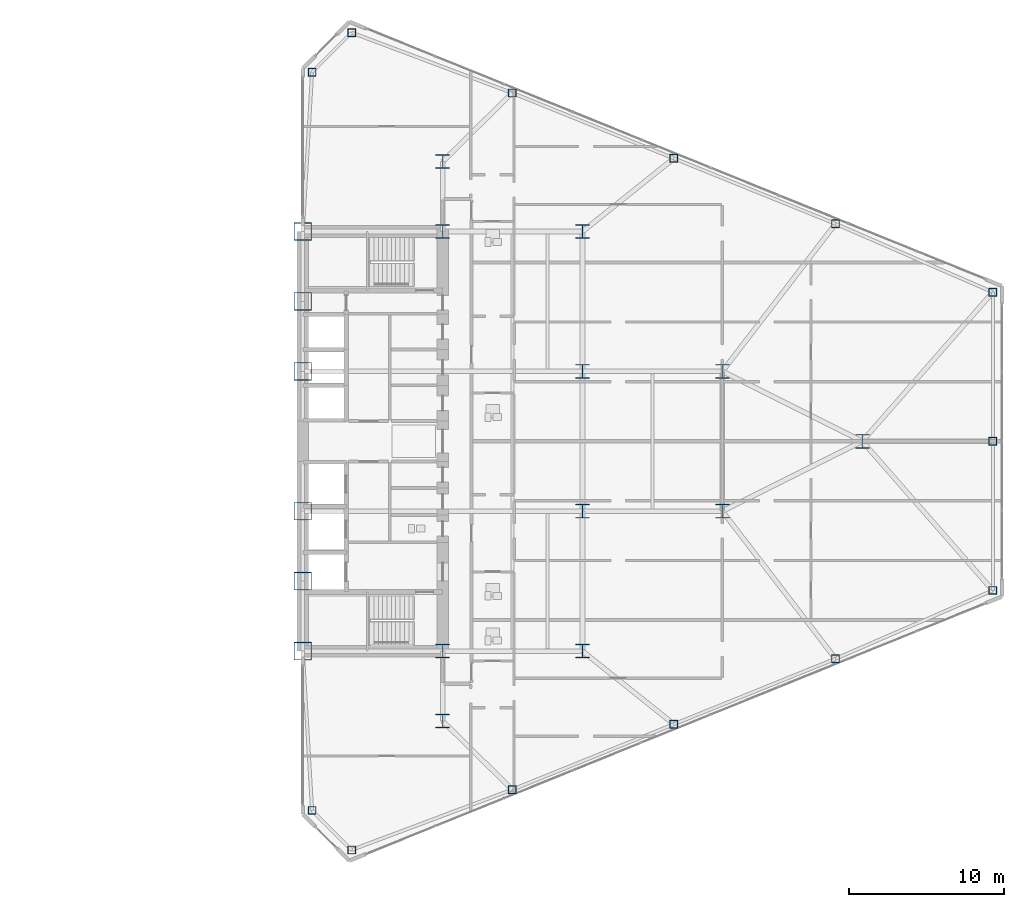
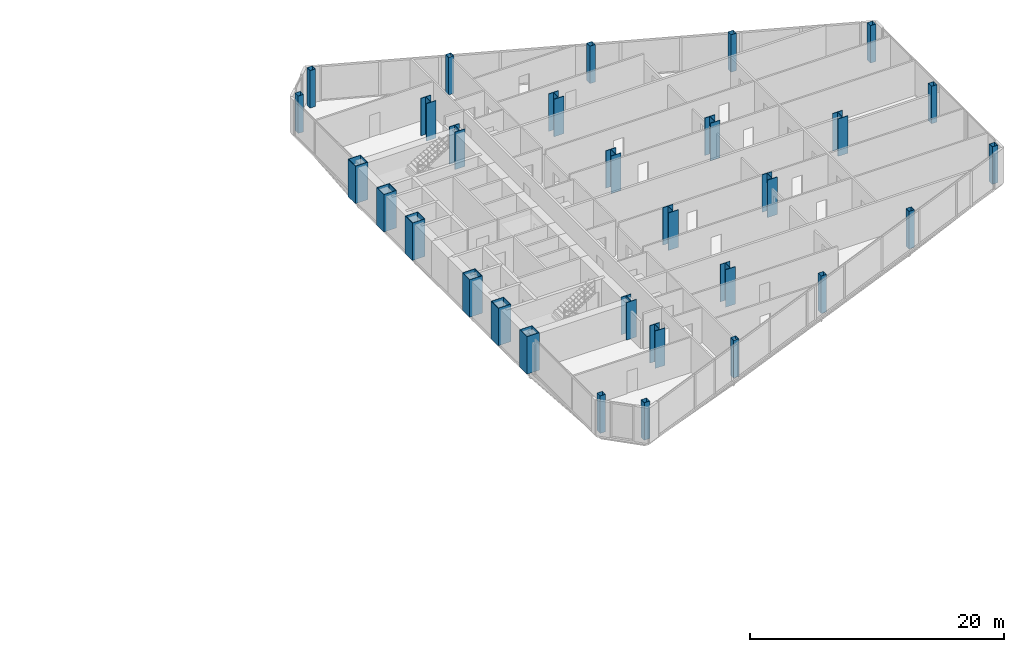
# One storey, part 2 of 25: 30 columns.
"""IFC4 building model written with IfcOpenShell, lengths in metres."""

from ifc_helpers import new_model, si_unit, direction, frame, origin, origin_2d, place, context, subcontext, project, spatial, hollow_rectangle, i_section, extrude, source, transform, mapped, material, material_profile, profile_set, type_object, type_shapes, element, save


model = new_model("IFC4")

# Units and contexts
model_context = context("Model", 3, precision=1e-05, world=origin(), true_north=direction((0.0, 1.0)))
body_context = subcontext(model_context, "Body", "Model", "MODEL_VIEW")
ifc_project = project(units=[si_unit("LENGTHUNIT", "METRE"), si_unit("AREAUNIT", "SQUARE_METRE"), si_unit("VOLUMEUNIT", "CUBIC_METRE"), si_unit("PLANEANGLEUNIT", "RADIAN"), si_unit("MASSUNIT", "GRAM", prefix="KILO")], contexts=[model_context])

# Site, building, storey
site_placement = place(None, origin())
site = spatial("IfcSite", under=ifc_project, at=site_placement, CompositionType="ELEMENT")
building_placement = place(site_placement, origin())
building = spatial("IfcBuilding", under=site, at=building_placement, Name="Seokmaru Belvedere", CompositionType="ELEMENT")
storey_placement = place(building_placement, frame((0.0, 0.0, 36.89990234375)))
storey = spatial("IfcBuildingStorey", under=building, at=storey_placement, Name="L09", CompositionType="ELEMENT", Elevation=36.89990234375)

# Columns
ifc_material_1 = material(Name="Steel HSA650 (650 MPa)", Category="steel")
ifc_material_profile_1 = material_profile(ifc_material_1, hollow_rectangle(XDim=1.14990234375, YDim=1.14990234375, WallThickness=0.048095703125, at=origin_2d()), Name="BOX-1150x1150x48")
ifc_profile_set_1 = profile_set([ifc_material_profile_1], Name="Steel HSA650 (650 MPa)")
column_type_1 = type_object("IfcColumnType", Name="Portal Spine Column BOX-1150", PredefinedType="COLUMN", material=ifc_profile_set_1)
shared_shape_1 = source(origin(), body_context, "Body", "SweptSolid", [
    extrude(hollow_rectangle(XDim=1.14990234375, YDim=1.14990234375, WallThickness=0.048095703125, at=origin_2d()), origin(), (0.0, 0.0, 1.0), 3.60009765625),
])
type_shapes(column_type_1, [shared_shape_1])
for number, where, z_axis, x_axis, name in (
    (1, (27.5, -13.5, 0.0), (0.0, 0.0, 1.0), (1.0, 0.0, 0.0), "L09 Column ES1"),
    (2, (27.5, -9.0, 0.0), (0.0, 0.0, 1.0), (1.0, 0.0, 0.0), "L09 Column ES2"),
    (3, (27.5, -4.5, 0.0), (0.0, 0.0, 1.0), (1.0, 0.0, 0.0), "L09 Column ES3"),
    (4, (27.5, 4.5, 0.0), (0.0, 0.0, 1.0), (1.0, 0.0, 0.0), "L09 Column ES4"),
    (5, (27.5, 9.0, 0.0), (0.0, 0.0, 1.0), (1.0, 0.0, 0.0), "L09 Column ES5"),
    (6, (27.5, 13.5, 0.0), (0.0, 0.0, 1.0), (1.0, 0.0, 0.0), "L09 Column ES6"),
):
    element("IfcColumn", number, at=place(storey_placement, frame(where, z_axis=z_axis, x_axis=x_axis)), inside=storey, type_object=column_type_1, Name=name, PredefinedType="COLUMN", context=body_context, shape_type="MappedRepresentation", body=[
        mapped(shared_shape_1, transform((0.0, 0.0, 0.0), scale=1.0)),
    ])
ifc_material_profile_2 = material_profile(ifc_material_1, i_section(OverallWidth=0.89990234375, OverallDepth=0.89990234375, WebThickness=0.035888671875, FlangeThickness=0.054931640625, at=origin_2d()), Name="H-900x900x36x55")
ifc_profile_set_2 = profile_set([ifc_material_profile_2], Name="Steel HSA650 (650 MPa)")
column_type_2 = type_object("IfcColumnType", Name="Lower Interior Column H-900", PredefinedType="COLUMN", material=ifc_profile_set_2)
shared_shape_2 = source(origin(), body_context, "Body", "SweptSolid", [
    extrude(i_section(OverallWidth=0.89990234375, OverallDepth=0.89990234375, WebThickness=0.035888671875, FlangeThickness=0.054931640625, at=origin_2d()), origin(), (0.0, 0.0, 1.0), 3.60009765625),
])
type_shapes(column_type_2, [shared_shape_2])
for number, where, z_axis, x_axis, name in (
    (7, (36.5, -18.0, 0.0), (0.0, 0.0, 1.0), (1.0, 0.0, 0.0), "L09 Column EC1"),
    (8, (36.5, -13.5, 0.0), (0.0, 0.0, 1.0), (1.0, 0.0, 0.0), "L09 Column EC2"),
    (9, (36.5, 13.5, 0.0), (0.0, 0.0, 1.0), (1.0, 0.0, 0.0), "L09 Column EC3"),
    (10, (36.5, 18.0, 0.0), (0.0, 0.0, 1.0), (1.0, 0.0, 0.0), "L09 Column EC4"),
    (11, (45.5, -13.5, 0.0), (0.0, 0.0, 1.0), (1.0, 0.0, 0.0), "L09 Column EG5_1"),
    (12, (45.5, -4.5, 0.0), (0.0, 0.0, 1.0), (1.0, 0.0, 0.0), "L09 Column EG5_2"),
    (13, (45.5, 4.5, 0.0), (0.0, 0.0, 1.0), (1.0, 0.0, 0.0), "L09 Column EG5_3"),
    (14, (45.5, 13.5, 0.0), (0.0, 0.0, 1.0), (1.0, 0.0, 0.0), "L09 Column EG5_4"),
    (15, (54.5, -4.5, 0.0), (0.0, 0.0, 1.0), (1.0, 0.0, 0.0), "L09 Column EG4P_1"),
    (16, (54.5, 4.5, 0.0), (0.0, 0.0, 1.0), (1.0, 0.0, 0.0), "L09 Column EG4P_2"),
    (17, (63.5, 0.0, 0.0), (0.0, 0.0, 1.0), (1.0, 0.0, 0.0), "L09 Column EG3P_1"),
):
    element("IfcColumn", number, at=place(storey_placement, frame(where, z_axis=z_axis, x_axis=x_axis)), inside=storey, type_object=column_type_2, Name=name, PredefinedType="COLUMN", context=body_context, shape_type="MappedRepresentation", body=[
        mapped(shared_shape_2, transform((0.0, 0.0, 0.0), scale=1.0)),
    ])
ifc_material_2 = material(Name="Steel SM355 (355 MPa)", Category="steel")
ifc_material_profile_3 = material_profile(ifc_material_2, hollow_rectangle(XDim=0.5, YDim=0.5, WallThickness=0.02001953125, at=origin_2d()), Name="HSS-500x500x20")
ifc_profile_set_3 = profile_set([ifc_material_profile_3], Name="Steel SM355 (355 MPa)")
column_type_3 = type_object("IfcColumnType", Name="Perimeter Facet Column HSS-500", PredefinedType="COLUMN", material=ifc_profile_set_3)
shared_shape_3 = source(origin(), body_context, "Body", "SweptSolid", [
    extrude(hollow_rectangle(XDim=0.5, YDim=0.5, WallThickness=0.02001953125, at=origin_2d()), origin(), (0.0, 0.0, 1.0), 3.60009765625),
])
type_shapes(column_type_3, [shared_shape_3])
for number, where, z_axis, x_axis, name in (
    (18, (30.643310546875, -26.294677734375, 0.0), (0.0, 0.0, 1.0), (1.0, 0.0, 0.0), "L09 Column EF1"),
    (19, (71.89990234375, -9.595703125, 0.0), (0.0, 0.0, 1.0), (1.0, 0.0, 0.0), "L09 Column EF2"),
    (20, (71.89990234375, 9.595703125, 0.0), (0.0, 0.0, 1.0), (1.0, 0.0, 0.0), "L09 Column EF3"),
    (21, (30.643310546875, 26.294677734375, 0.0), (0.0, 0.0, 1.0), (1.0, 0.0, 0.0), "L09 Column EF4"),
    (22, (28.10009765625, 23.75146484375, 0.0), (0.0, 0.0, 1.0), (1.0, 0.0, 0.0), "L09 Column EF5"),
    (23, (28.10009765625, -23.75146484375, 0.0), (0.0, 0.0, 1.0), (1.0, 0.0, 0.0), "L09 Column EF6"),
    (24, (40.977294921875, -22.4140625, 0.0), (0.0, 0.0, 1.0), (1.0, 0.0, 0.0), "L09 Column EFLK_S1"),
    (25, (51.378173828125, -18.2041015625, 0.0), (0.0, 0.0, 1.0), (1.0, 0.0, 0.0), "L09 Column EFLK_S2"),
    (26, (61.779052734375, -13.994140625, 0.0), (0.0, 0.0, 1.0), (1.0, 0.0, 0.0), "L09 Column EFLK_S3"),
    (27, (40.977294921875, 22.4140625, 0.0), (0.0, 0.0, 1.0), (1.0, 0.0, 0.0), "L09 Column EFLK_N1"),
    (28, (51.378173828125, 18.2041015625, 0.0), (0.0, 0.0, 1.0), (1.0, 0.0, 0.0), "L09 Column EFLK_N2"),
    (29, (61.779052734375, 13.994140625, 0.0), (0.0, 0.0, 1.0), (1.0, 0.0, 0.0), "L09 Column EFLK_N3"),
    (30, (71.89990234375, 0.0, 0.0), (0.0, 0.0, 1.0), (1.0, 0.0, 0.0), "L09 Column EF_APXM"),
):
    element("IfcColumn", number, at=place(storey_placement, frame(where, z_axis=z_axis, x_axis=x_axis)), inside=storey, type_object=column_type_3, Name=name, PredefinedType="COLUMN", context=body_context, shape_type="MappedRepresentation", body=[
        mapped(shared_shape_3, transform((0.0, 0.0, 0.0), scale=1.0)),
    ])

save(model, "model.ifc")
